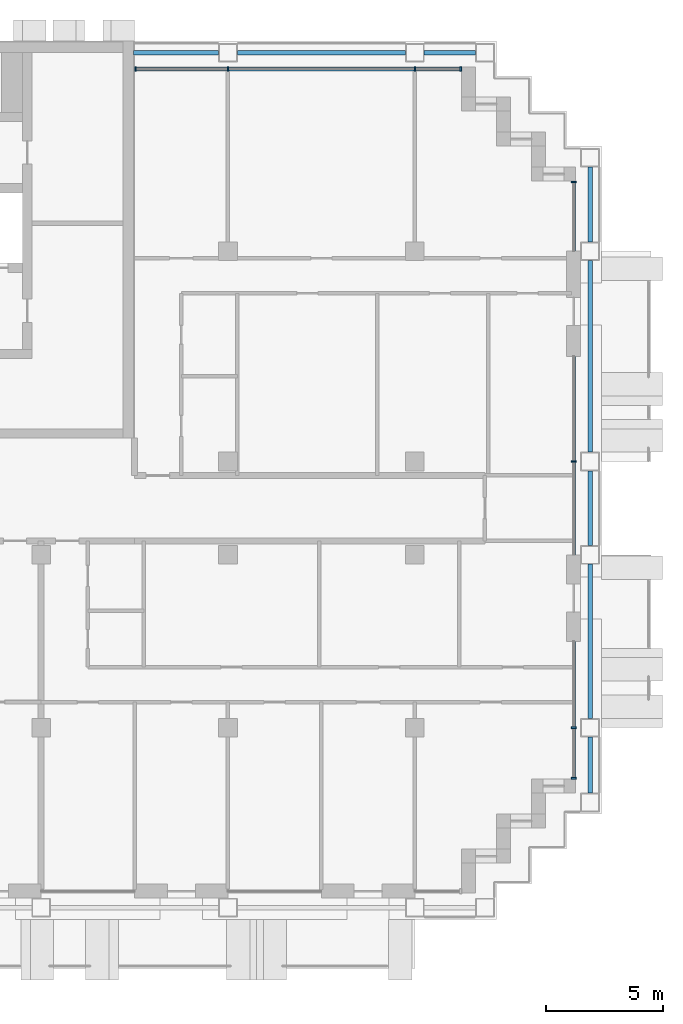
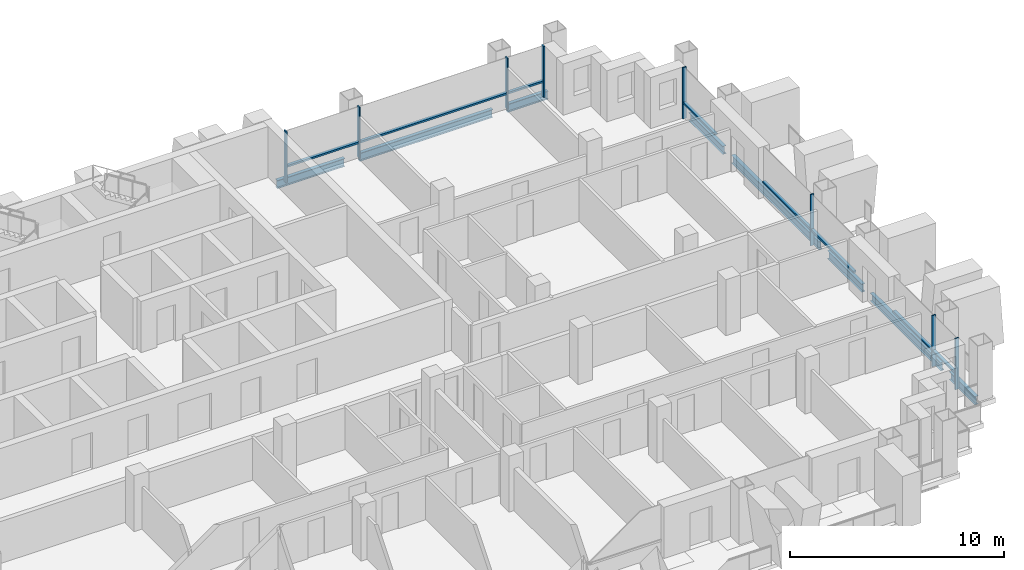
# One storey, part 5 of 17: 16 members, 8 beams, 4 elements without a shape of their own.
"""IFC4 building model written with IfcOpenShell, lengths in metres."""

from ifc_helpers import new_model, si_unit, direction, frame, origin, origin_2d, place, context, subcontext, project, spatial, rectangle, i_section, extrude, material, material_profile, profile_set, type_object, element, aggregate, save


model = new_model("IFC4")

# Units and contexts
model_context = context("Model", 3, precision=1e-05, world=origin(), true_north=direction((0.0, 1.0)))
body_context = subcontext(model_context, "Body", "Model", "MODEL_VIEW")
ifc_project = project(units=[si_unit("LENGTHUNIT", "METRE"), si_unit("AREAUNIT", "SQUARE_METRE"), si_unit("VOLUMEUNIT", "CUBIC_METRE"), si_unit("PLANEANGLEUNIT", "RADIAN"), si_unit("MASSUNIT", "GRAM", prefix="KILO")], contexts=[model_context])

# Site, building, storey
site_placement = place(None, origin())
site = spatial("IfcSite", under=ifc_project, at=site_placement, CompositionType="ELEMENT")
building_placement = place(site_placement, origin())
building = spatial("IfcBuilding", under=site, at=building_placement, Name="Vidyagriha Tower", CompositionType="ELEMENT")
storey_placement = place(building_placement, frame((0.0, 0.0, 139.0)))
storey = spatial("IfcBuildingStorey", under=building, at=storey_placement, Name="L36", CompositionType="ELEMENT", Elevation=139.0)

# Beams
ifc_material_1 = material(Name="Steel ASTM A992 Grade 50", Category="steel")
ifc_material_profile_1 = material_profile(ifc_material_1, i_section(OverallWidth=0.19189453125, OverallDepth=0.46240234375, WebThickness=0.010498046875, FlangeThickness=0.017578125, at=origin_2d()), Name="W18X60")
ifc_profile_set_1 = profile_set([ifc_material_profile_1], Name="Steel ASTM A992 Grade 50")
beam_type = type_object("IfcBeamType", Name="Edge beam W18X60", PredefinedType="SPANDREL", material=ifc_profile_set_1)
beam_1_placement = place(storey_placement, frame((33.5, -12.199951171875, -0.51123046875), z_axis=(0.0, 1.0, 0.0), x_axis=(-1.0, 0.0, 0.0)))
element("IfcBeam", 1, at=beam_1_placement, inside=storey, type_object=beam_type, Name="st-beam-L36-E14", PredefinedType="SPANDREL", context=body_context, shape_type="SweptSolid", body=[
    extrude(i_section(OverallWidth=0.19189453125, OverallDepth=0.46240234375, WebThickness=0.010498046875, FlangeThickness=0.017578125, at=origin_2d()), origin(), (0.0, 0.0, 1.0), 2.39990234375),
])
beam_2_placement = place(storey_placement, frame((33.5, -9.0, -0.51123046875), z_axis=(0.0, 1.0, 0.0), x_axis=(-1.0, 0.0, 0.0)))
element("IfcBeam", 2, at=beam_2_placement, inside=storey, type_object=beam_type, Name="st-beam-L36-E15", PredefinedType="SPANDREL", context=body_context, shape_type="SweptSolid", body=[
    extrude(i_section(OverallWidth=0.19189453125, OverallDepth=0.46240234375, WebThickness=0.010498046875, FlangeThickness=0.017578125, at=origin_2d()), origin(), (0.0, 0.0, 1.0), 6.60009765625),
])
beam_3_placement = place(storey_placement, frame((33.5, -1.60009765625, -0.51123046875), z_axis=(0.0, 1.0, 0.0), x_axis=(-1.0, 0.0, 0.0)))
element("IfcBeam", 3, at=beam_3_placement, inside=storey, type_object=beam_type, Name="st-beam-L36-E16", PredefinedType="SPANDREL", context=body_context, shape_type="SweptSolid", body=[
    extrude(i_section(OverallWidth=0.19189453125, OverallDepth=0.46240234375, WebThickness=0.010498046875, FlangeThickness=0.017578125, at=origin_2d()), origin(), (0.0, 0.0, 1.0), 3.2001953125),
])
beam_4_placement = place(storey_placement, frame((33.5, 2.39990234375, -0.51123046875), z_axis=(0.0, 1.0, 0.0), x_axis=(-1.0, 0.0, 0.0)))
element("IfcBeam", 4, at=beam_4_placement, inside=storey, type_object=beam_type, Name="st-beam-L36-E17", PredefinedType="SPANDREL", context=body_context, shape_type="SweptSolid", body=[
    extrude(i_section(OverallWidth=0.19189453125, OverallDepth=0.46240234375, WebThickness=0.010498046875, FlangeThickness=0.017578125, at=origin_2d()), origin(), (0.0, 0.0, 1.0), 8.2001953125),
])
beam_5_placement = place(storey_placement, frame((33.5, 11.39990234375, -0.51123046875), z_axis=(0.0, 1.0, 0.0), x_axis=(-1.0, 0.0, 0.0)))
element("IfcBeam", 5, at=beam_5_placement, inside=storey, type_object=beam_type, Name="st-beam-L36-E18", PredefinedType="SPANDREL", context=body_context, shape_type="SweptSolid", body=[
    extrude(i_section(OverallWidth=0.19189453125, OverallDepth=0.46240234375, WebThickness=0.010498046875, FlangeThickness=0.017578125, at=origin_2d()), origin(), (0.0, 0.0, 1.0), 3.2001953125),
])
beam_6_placement = place(storey_placement, frame((18.39990234375, 19.5, -0.51123046875), z_axis=(1.0, 0.0, 0.0), x_axis=(0.0, 1.0, 0.0)))
element("IfcBeam", 6, at=beam_6_placement, inside=storey, type_object=beam_type, Name="st-beam-L36-NE20", PredefinedType="SPANDREL", context=body_context, shape_type="SweptSolid", body=[
    extrude(i_section(OverallWidth=0.19189453125, OverallDepth=0.46240234375, WebThickness=0.010498046875, FlangeThickness=0.017578125, at=origin_2d()), origin(), (0.0, 0.0, 1.0), 7.2001953125),
])
beam_7_placement = place(storey_placement, frame((26.39990234375, 19.5, -0.51123046875), z_axis=(1.0, 0.0, 0.0), x_axis=(0.0, 1.0, 0.0)))
element("IfcBeam", 7, at=beam_7_placement, inside=storey, type_object=beam_type, Name="st-beam-L36-NE21", PredefinedType="SPANDREL", context=body_context, shape_type="SweptSolid", body=[
    extrude(i_section(OverallWidth=0.19189453125, OverallDepth=0.46240234375, WebThickness=0.010498046875, FlangeThickness=0.017578125, at=origin_2d()), origin(), (0.0, 0.0, 1.0), 2.2001953125),
])
beam_8_placement = place(storey_placement, frame((13.949951171875, 19.5, -0.51123046875), z_axis=(1.0, 0.0, 0.0), x_axis=(0.0, 1.0, 0.0)))
element("IfcBeam", 8, at=beam_8_placement, inside=storey, type_object=beam_type, Name="st-beam-L36-NC23", PredefinedType="SPANDREL", context=body_context, shape_type="SweptSolid", body=[
    extrude(i_section(OverallWidth=0.19189453125, OverallDepth=0.46240234375, WebThickness=0.010498046875, FlangeThickness=0.017578125, at=origin_2d()), origin(), (0.0, 0.0, 1.0), 3.650146484375),
])

# Curtain wall, members
ifc_material_2 = material(Name="Aluminium and glass curtain wall", Category="aluminium")
curtain_wall_type = type_object("IfcCurtainWallType", Name="Dwelling skin unitised curtain wall", PredefinedType="USERDEFINED", material=ifc_material_2)
curtain_wall_1_placement = place(storey_placement, origin())
curtain_wall_1 = element("IfcCurtainWall", 9, at=curtain_wall_1_placement, inside=storey, type_object=curtain_wall_type, Name="CW1 dwelling skin", ObjectType="UNITISED", PredefinedType="USERDEFINED")
ifc_material_3 = material(Name="Aluminium black anodised", Category="aluminium")
ifc_material_profile_2 = material_profile(ifc_material_3, rectangle(XDim=0.199951171875, YDim=0.070068359375, at=origin_2d()), Name="Mullion 70x200 black aluminium")
ifc_profile_set_2 = profile_set([ifc_material_profile_2], Name="Aluminium black anodised")
member_type_1 = type_object("IfcMemberType", Name="Mullion 70x200 black aluminium", PredefinedType="MULLION", material=ifc_profile_set_2)
member_1_placement = place(storey_placement, frame((27.965087890625, 18.800048828125, 0.0), z_axis=(0.0, 0.0, 1.0), x_axis=(0.0, -1.0, 0.0)))
member_1 = element("IfcMember", 10, at=member_1_placement, type_object=member_type_1, Name="CW1 mullion 1", PredefinedType="MULLION", context=body_context, shape_type="SweptSolid", body=[
    extrude(rectangle(XDim=0.199951171875, YDim=0.070068359375, at=origin_2d()), origin(), (0.0, 0.0, 1.0), 2.919921875),
])
member_2_placement = place(storey_placement, frame((26.0, 18.800048828125, 0.0), z_axis=(0.0, 0.0, 1.0), x_axis=(0.0, -1.0, 0.0)))
member_2 = element("IfcMember", 11, at=member_2_placement, type_object=member_type_1, Name="CW1 mullion 2", PredefinedType="MULLION", context=body_context, shape_type="SweptSolid", body=[
    extrude(rectangle(XDim=0.199951171875, YDim=0.070068359375, at=origin_2d()), origin(), (0.0, 0.0, 1.0), 2.919921875),
])
member_3_placement = place(storey_placement, frame((18.0, 18.800048828125, 0.0), z_axis=(0.0, 0.0, 1.0), x_axis=(0.0, -1.0, 0.0)))
member_3 = element("IfcMember", 12, at=member_3_placement, type_object=member_type_1, Name="CW1 mullion 3", PredefinedType="MULLION", context=body_context, shape_type="SweptSolid", body=[
    extrude(rectangle(XDim=0.199951171875, YDim=0.070068359375, at=origin_2d()), origin(), (0.0, 0.0, 1.0), 2.919921875),
])
member_4_placement = place(storey_placement, frame((14.034912109375, 18.800048828125, 0.0), z_axis=(0.0, 0.0, 1.0), x_axis=(0.0, -1.0, 0.0)))
member_4 = element("IfcMember", 13, at=member_4_placement, type_object=member_type_1, Name="CW1 mullion 4", PredefinedType="MULLION", context=body_context, shape_type="SweptSolid", body=[
    extrude(rectangle(XDim=0.199951171875, YDim=0.070068359375, at=origin_2d()), origin(), (0.0, 0.0, 1.0), 2.919921875),
])

curtain_wall_2_placement = place(storey_placement, origin())
curtain_wall_2 = element("IfcCurtainWall", 14, at=curtain_wall_2_placement, inside=storey, type_object=curtain_wall_type, Name="CW1 dwelling skin", ObjectType="UNITISED", PredefinedType="USERDEFINED")
member_5_placement = place(storey_placement, frame((32.800048828125, -11.56494140625, 0.0), z_axis=(0.0, 0.0, 1.0), x_axis=(-1.0, 0.0, 0.0)))
member_5 = element("IfcMember", 15, at=member_5_placement, type_object=member_type_1, Name="CW1 mullion 1", PredefinedType="MULLION", context=body_context, shape_type="SweptSolid", body=[
    extrude(rectangle(XDim=0.199951171875, YDim=0.070068359375, at=origin_2d()), origin(), (0.0, 0.0, 1.0), 2.919921875),
])
member_6_placement = place(storey_placement, frame((32.800048828125, -9.39990234375, 0.0), z_axis=(0.0, 0.0, 1.0), x_axis=(-1.0, 0.0, 0.0)))
member_6 = element("IfcMember", 16, at=member_6_placement, type_object=member_type_1, Name="CW1 mullion 2", PredefinedType="MULLION", context=body_context, shape_type="SweptSolid", body=[
    extrude(rectangle(XDim=0.199951171875, YDim=0.070068359375, at=origin_2d()), origin(), (0.0, 0.0, 1.0), 2.919921875),
])

# Curtain wall, member
curtain_wall_3_placement = place(storey_placement, origin())
curtain_wall_3 = element("IfcCurtainWall", 17, at=curtain_wall_3_placement, inside=storey, type_object=curtain_wall_type, Name="CW1 dwelling skin", ObjectType="UNITISED", PredefinedType="USERDEFINED")
member_7_placement = place(storey_placement, frame((32.800048828125, 2.0, 0.0), z_axis=(0.0, 0.0, 1.0), x_axis=(-1.0, 0.0, 0.0)))
member_7 = element("IfcMember", 18, at=member_7_placement, type_object=member_type_1, Name="CW1 mullion 2", PredefinedType="MULLION", context=body_context, shape_type="SweptSolid", body=[
    extrude(rectangle(XDim=0.199951171875, YDim=0.070068359375, at=origin_2d()), origin(), (0.0, 0.0, 1.0), 2.919921875),
])

curtain_wall_4_placement = place(storey_placement, origin())
curtain_wall_4 = element("IfcCurtainWall", 19, at=curtain_wall_4_placement, inside=storey, type_object=curtain_wall_type, Name="CW1 dwelling skin", ObjectType="UNITISED", PredefinedType="USERDEFINED")
member_8_placement = place(storey_placement, frame((32.800048828125, 13.965087890625, 0.0), z_axis=(0.0, 0.0, 1.0), x_axis=(-1.0, 0.0, 0.0)))
member_8 = element("IfcMember", 20, at=member_8_placement, type_object=member_type_1, Name="CW1 mullion 2", PredefinedType="MULLION", context=body_context, shape_type="SweptSolid", body=[
    extrude(rectangle(XDim=0.199951171875, YDim=0.070068359375, at=origin_2d()), origin(), (0.0, 0.0, 1.0), 2.919921875),
])

# Member
ifc_material_4 = material(Name="Aluminium black anodised", Category="aluminium")
ifc_material_profile_3 = material_profile(ifc_material_4, rectangle(XDim=0.159912109375, YDim=0.10009765625, at=origin_2d()), Name="Transom 100x160 black aluminium")
ifc_profile_set_3 = profile_set([ifc_material_profile_3], Name="Aluminium black anodised")
member_type_2 = type_object("IfcMemberType", Name="Transom 100x160 black aluminium", PredefinedType="USERDEFINED", material=ifc_profile_set_3)
member_9_placement = place(storey_placement, frame((27.929931640625, 18.800048828125, 0.89990234375), z_axis=(-1.0, 0.0, 0.0), x_axis=(0.0, -1.0, 0.0)))
member_9 = element("IfcMember", 21, at=member_9_placement, type_object=member_type_2, Name="CW1 transom 1.1", ObjectType="TRANSOM", PredefinedType="USERDEFINED", context=body_context, shape_type="SweptSolid", body=[
    extrude(rectangle(XDim=0.159912109375, YDim=0.10009765625, at=origin_2d()), origin(), (0.0, 0.0, 1.0), 1.89501953125),
])

member_10_placement = place(storey_placement, frame((25.965087890625, 18.800048828125, 0.89990234375), z_axis=(-1.0, 0.0, 0.0), x_axis=(0.0, -1.0, 0.0)))
member_10 = element("IfcMember", 22, at=member_10_placement, type_object=member_type_2, Name="CW1 transom 2.1", ObjectType="TRANSOM", PredefinedType="USERDEFINED", context=body_context, shape_type="SweptSolid", body=[
    extrude(rectangle(XDim=0.159912109375, YDim=0.10009765625, at=origin_2d()), origin(), (0.0, 0.0, 1.0), 7.93017578125),
])

member_11_placement = place(storey_placement, frame((17.965087890625, 18.800048828125, 0.89990234375), z_axis=(-1.0, 0.0, 0.0), x_axis=(0.0, -1.0, 0.0)))
member_11 = element("IfcMember", 23, at=member_11_placement, type_object=member_type_2, Name="CW1 transom 3.1", ObjectType="TRANSOM", PredefinedType="USERDEFINED", context=body_context, shape_type="SweptSolid", body=[
    extrude(rectangle(XDim=0.159912109375, YDim=0.10009765625, at=origin_2d()), origin(), (0.0, 0.0, 1.0), 3.89501953125),
])

aggregate(curtain_wall_1, [member_1, member_2, member_3, member_4, member_9, member_10, member_11])

member_12_placement = place(storey_placement, frame((32.800048828125, -11.530029296875, 0.89990234375), z_axis=(0.0, 1.0, 0.0), x_axis=(-1.0, 0.0, 0.0)))
member_12 = element("IfcMember", 24, at=member_12_placement, type_object=member_type_2, Name="CW1 transom 1.1", ObjectType="TRANSOM", PredefinedType="USERDEFINED", context=body_context, shape_type="SweptSolid", body=[
    extrude(rectangle(XDim=0.159912109375, YDim=0.10009765625, at=origin_2d()), origin(), (0.0, 0.0, 1.0), 2.094970703125),
])

member_13_placement = place(storey_placement, frame((32.800048828125, -9.364990234375, 0.89990234375), z_axis=(0.0, 1.0, 0.0), x_axis=(-1.0, 0.0, 0.0)))
member_13 = element("IfcMember", 25, at=member_13_placement, type_object=member_type_2, Name="CW1 transom 2.1", ObjectType="TRANSOM", PredefinedType="USERDEFINED", context=body_context, shape_type="SweptSolid", body=[
    extrude(rectangle(XDim=0.159912109375, YDim=0.10009765625, at=origin_2d()), origin(), (0.0, 0.0, 1.0), 3.6650390625),
])

aggregate(curtain_wall_2, [member_5, member_6, member_12, member_13])

member_14_placement = place(storey_placement, frame((32.800048828125, -2.0, 0.89990234375), z_axis=(0.0, 1.0, 0.0), x_axis=(-1.0, 0.0, 0.0)))
member_14 = element("IfcMember", 26, at=member_14_placement, type_object=member_type_2, Name="CW1 transom 1.1", ObjectType="TRANSOM", PredefinedType="USERDEFINED", context=body_context, shape_type="SweptSolid", body=[
    extrude(rectangle(XDim=0.159912109375, YDim=0.10009765625, at=origin_2d()), origin(), (0.0, 0.0, 1.0), 3.965087890625),
])

member_15_placement = place(storey_placement, frame((32.800048828125, 2.034912109375, 0.89990234375), z_axis=(0.0, 1.0, 0.0), x_axis=(-1.0, 0.0, 0.0)))
member_15 = element("IfcMember", 27, at=member_15_placement, type_object=member_type_2, Name="CW1 transom 2.1", ObjectType="TRANSOM", PredefinedType="USERDEFINED", context=body_context, shape_type="SweptSolid", body=[
    extrude(rectangle(XDim=0.159912109375, YDim=0.10009765625, at=origin_2d()), origin(), (0.0, 0.0, 1.0), 4.465087890625),
])

aggregate(curtain_wall_3, [member_7, member_14, member_15])

member_16_placement = place(storey_placement, frame((32.800048828125, 11.0, 0.89990234375), z_axis=(0.0, 1.0, 0.0), x_axis=(-1.0, 0.0, 0.0)))
member_16 = element("IfcMember", 28, at=member_16_placement, type_object=member_type_2, Name="CW1 transom 1.1", ObjectType="TRANSOM", PredefinedType="USERDEFINED", context=body_context, shape_type="SweptSolid", body=[
    extrude(rectangle(XDim=0.159912109375, YDim=0.10009765625, at=origin_2d()), origin(), (0.0, 0.0, 1.0), 2.929931640625),
])

aggregate(curtain_wall_4, [member_8, member_16])

save(model, "model.ifc")
